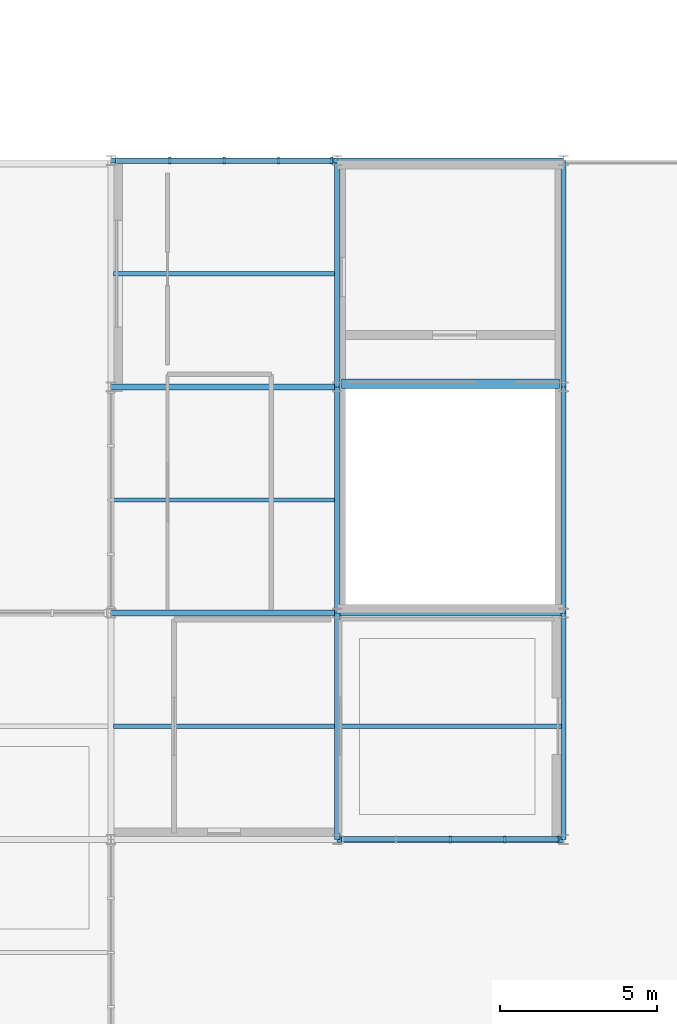
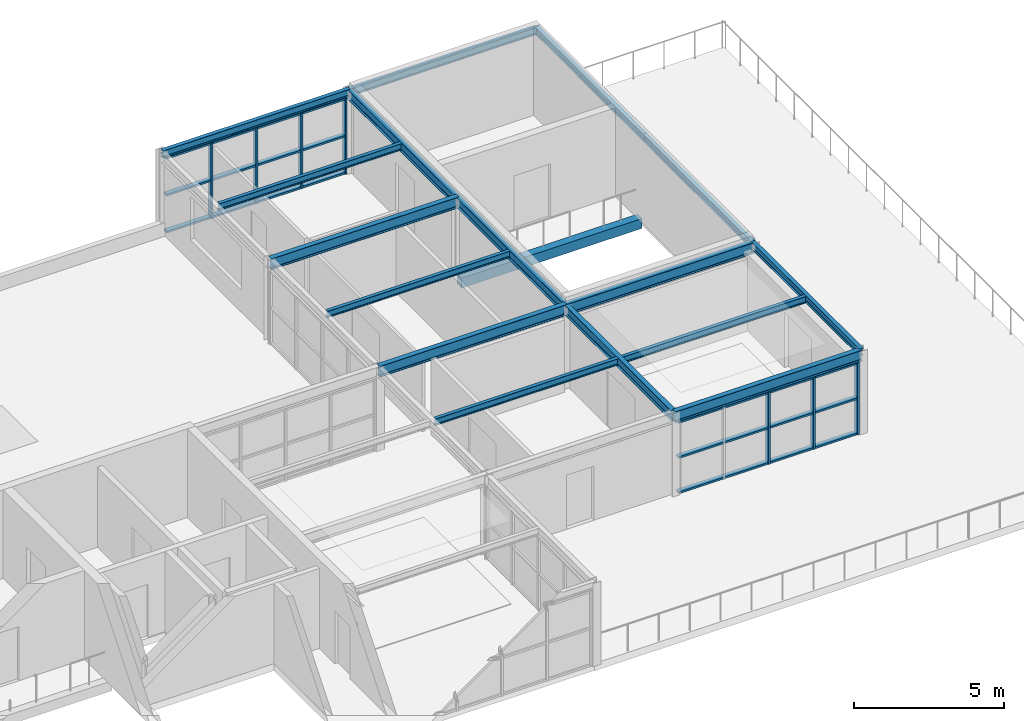
# One storey, part 12 of 22: 17 beams, 13 members, 2 elements without a shape of their own.
"""IFC4 building model written with IfcOpenShell, lengths in metres."""

from ifc_helpers import new_model, si_unit, direction, frame, origin, origin_2d, place, context, subcontext, project, spatial, rectangle, i_section, extrude, material, material_profile, profile_set, type_object, element, aggregate, save


model = new_model("IFC4")

# Units and contexts
model_context = context("Model", 3, precision=1e-05, world=origin(), true_north=direction((0.0, 1.0)))
body_context = subcontext(model_context, "Body", "Model", "MODEL_VIEW")
ifc_project = project(units=[si_unit("LENGTHUNIT", "METRE"), si_unit("AREAUNIT", "SQUARE_METRE"), si_unit("VOLUMEUNIT", "CUBIC_METRE"), si_unit("PLANEANGLEUNIT", "RADIAN"), si_unit("MASSUNIT", "GRAM", prefix="KILO")], contexts=[model_context])

# Site, building, storey
site_placement = place(None, origin())
site = spatial("IfcSite", under=ifc_project, at=site_placement, CompositionType="ELEMENT")
building_placement = place(site_placement, origin())
building = spatial("IfcBuilding", under=site, at=building_placement, Name="Leyfeld Transit Interchange", CompositionType="ELEMENT")
storey_placement = place(building_placement, frame((0.0, 0.0, 18.0)))
storey = spatial("IfcBuildingStorey", under=building, at=storey_placement, Name="L04", CompositionType="ELEMENT", Elevation=18.0)

# Beams
ifc_material_1 = material(Name="Concrete C35/45", Category="concrete")
ifc_material_profile_1 = material_profile(ifc_material_1, rectangle(XDim=0.300048828125, YDim=0.39990234375, at=origin_2d()), Name="RC 400x300")
ifc_profile_set_1 = profile_set([ifc_material_profile_1], Name="Concrete C35/45")
beam_type_1 = type_object("IfcBeamType", Name="BM-RC-400x300", PredefinedType="LINTEL", material=ifc_profile_set_1)
beam_1_placement = place(storey_placement, frame((165.735107421875, 79.300048828125, -0.199951171875), z_axis=(1.0, 0.0, 0.0), x_axis=(0.0, 1.0, 0.0)))
element("IfcBeam", 1, at=beam_1_placement, inside=storey, type_object=beam_type_1, Name="Core K5 Floor Landing Corbel L04", PredefinedType="LINTEL", context=body_context, shape_type="SweptSolid", body=[
    extrude(rectangle(XDim=0.300048828125, YDim=0.39990234375, at=origin_2d()), origin(), (0.0, 0.0, 1.0), 6.929931640625),
])
ifc_material_2 = material(Name="Steel S355J2", Category="steel")
ifc_material_profile_2 = material_profile(ifc_material_2, i_section(OverallWidth=0.135009765625, OverallDepth=0.27001953125, WebThickness=0.006591796875, FlangeThickness=0.01025390625, FilletRadius=0.014892578125, at=origin_2d()), Name="IPE 270")
ifc_profile_set_2 = profile_set([ifc_material_profile_2], Name="Steel S355J2")
beam_type_2 = type_object("IfcBeamType", Name="BM-STL-IPE270", PredefinedType="BEAM", material=ifc_profile_set_2)
beam_2_placement = place(storey_placement, frame((158.487060546875, 68.39990234375, 3.2451171875), z_axis=(1.0, 0.0, 0.0), x_axis=(0.0, 1.0, 0.0)))
element("IfcBeam", 2, at=beam_2_placement, inside=storey, type_object=beam_type_2, Name="Beam BM-L04-1585_0684-1655_0684", PredefinedType="BEAM", context=body_context, shape_type="SweptSolid", body=[
    extrude(i_section(OverallWidth=0.135009765625, OverallDepth=0.27001953125, WebThickness=0.006591796875, FlangeThickness=0.01025390625, FilletRadius=0.014892578125, at=origin_2d()), origin(), (0.0, 0.0, 1.0), 7.02587890625),
])
beam_3_placement = place(storey_placement, frame((165.68701171875, 68.39990234375, 3.2451171875), z_axis=(1.0, 0.0, 0.0), x_axis=(0.0, 1.0, 0.0)))
element("IfcBeam", 3, at=beam_3_placement, inside=storey, type_object=beam_type_2, Name="Beam BM-L04-1657_0684-1727_0684", PredefinedType="BEAM", context=body_context, shape_type="SweptSolid", body=[
    extrude(i_section(OverallWidth=0.135009765625, OverallDepth=0.27001953125, WebThickness=0.006591796875, FlangeThickness=0.01025390625, FilletRadius=0.014892578125, at=origin_2d()), origin(), (0.0, 0.0, 1.0), 7.041015625),
])
for number, where, z_axis, x_axis, name in (
    (4, (158.487060546875, 75.60009765625, 3.2451171875), (1.0, 0.0, 0.0), (0.0, 1.0, 0.0), "Beam BM-L04-1585_0756-1655_0756"),
    (5, (158.487060546875, 82.800048828125, 3.2451171875), (1.0, 0.0, 0.0), (0.0, 1.0, 0.0), "Beam BM-L04-1585_0828-1655_0828"),
):
    element("IfcBeam", number, at=place(storey_placement, frame(where, z_axis=z_axis, x_axis=x_axis)), inside=storey, type_object=beam_type_2, Name=name, PredefinedType="BEAM", context=body_context, shape_type="SweptSolid", body=[
        extrude(i_section(OverallWidth=0.135009765625, OverallDepth=0.27001953125, WebThickness=0.006591796875, FlangeThickness=0.01025390625, FilletRadius=0.014892578125, at=origin_2d()), origin(), (0.0, 0.0, 1.0), 7.02587890625),
    ])
ifc_material_profile_3 = material_profile(ifc_material_2, i_section(OverallWidth=0.14990234375, OverallDepth=0.300048828125, WebThickness=0.007080078125, FlangeThickness=0.0107421875, FilletRadius=0.014892578125, at=origin_2d()), Name="IPE 300")
ifc_profile_set_3 = profile_set([ifc_material_profile_3], Name="Steel S355J2")
beam_type_3 = type_object("IfcBeamType", Name="BM-STL-IPE300", PredefinedType="SPANDREL", material=ifc_profile_set_3)
for number, where, z_axis, x_axis, name in (
    (6, (172.800048828125, 64.800048828125, 3.22998046875), (0.0, 1.0, 0.0), (-1.0, 0.0, 0.0), "Beam BM-L04-1728_0648-1728_0720"),
    (7, (172.800048828125, 72.0, 3.22998046875), (0.0, 1.0, 0.0), (-1.0, 0.0, 0.0), "Beam BM-L04-1728_0720-1728_0792"),
    (8, (172.800048828125, 79.199951171875, 3.22998046875), (0.0, 1.0, 0.0), (-1.0, 0.0, 0.0), "Beam BM-L04-1728_0792-1728_0864"),
):
    element("IfcBeam", number, at=place(storey_placement, frame(where, z_axis=z_axis, x_axis=x_axis)), inside=storey, type_object=beam_type_3, Name=name, PredefinedType="SPANDREL", context=body_context, shape_type="SweptSolid", body=[
        extrude(i_section(OverallWidth=0.14990234375, OverallDepth=0.300048828125, WebThickness=0.007080078125, FlangeThickness=0.0107421875, FilletRadius=0.014892578125, at=origin_2d()), origin(), (0.0, 0.0, 1.0), 7.199951171875),
    ])
beam_4_placement = place(storey_placement, frame((158.39990234375, 86.39990234375, 3.22998046875), z_axis=(1.0, 0.0, 0.0), x_axis=(0.0, 1.0, 0.0)))
element("IfcBeam", 9, at=beam_4_placement, inside=storey, type_object=beam_type_3, Name="Beam BM-L04-1584_0864-1656_0864", PredefinedType="SPANDREL", context=body_context, shape_type="SweptSolid", body=[
    extrude(i_section(OverallWidth=0.14990234375, OverallDepth=0.300048828125, WebThickness=0.007080078125, FlangeThickness=0.0107421875, FilletRadius=0.014892578125, at=origin_2d()), origin(), (0.0, 0.0, 1.0), 7.2001953125),
])
beam_5_placement = place(storey_placement, frame((165.60009765625, 86.39990234375, 3.22998046875), z_axis=(1.0, 0.0, 0.0), x_axis=(0.0, 1.0, 0.0)))
element("IfcBeam", 10, at=beam_5_placement, inside=storey, type_object=beam_type_3, Name="Beam BM-L04-1656_0864-1728_0864", PredefinedType="SPANDREL", context=body_context, shape_type="SweptSolid", body=[
    extrude(i_section(OverallWidth=0.14990234375, OverallDepth=0.300048828125, WebThickness=0.007080078125, FlangeThickness=0.0107421875, FilletRadius=0.014892578125, at=origin_2d()), origin(), (0.0, 0.0, 1.0), 7.199951171875),
])
ifc_material_profile_4 = material_profile(ifc_material_2, i_section(OverallWidth=0.179931640625, OverallDepth=0.39990234375, WebThickness=0.008544921875, FlangeThickness=0.013427734375, FilletRadius=0.02099609375, at=origin_2d()), Name="IPE 400")
ifc_profile_set_4 = profile_set([ifc_material_profile_4], Name="Steel S355J2")
beam_type_4 = type_object("IfcBeamType", Name="BM-STL-IPE400", PredefinedType="BEAM", material=ifc_profile_set_4)
for number, where, z_axis, x_axis, name in (
    (11, (165.60009765625, 64.800048828125, 3.179931640625), (0.0, 1.0, 0.0), (-1.0, 0.0, 0.0), "Beam BM-L04-1656_0648-1656_0720"),
    (12, (165.60009765625, 72.0, 3.179931640625), (0.0, 1.0, 0.0), (-1.0, 0.0, 0.0), "Beam BM-L04-1656_0720-1656_0792"),
    (13, (165.60009765625, 79.199951171875, 3.179931640625), (0.0, 1.0, 0.0), (-1.0, 0.0, 0.0), "Beam BM-L04-1656_0792-1656_0864"),
):
    element("IfcBeam", number, at=place(storey_placement, frame(where, z_axis=z_axis, x_axis=x_axis)), inside=storey, type_object=beam_type_4, Name=name, PredefinedType="BEAM", context=body_context, shape_type="SweptSolid", body=[
        extrude(i_section(OverallWidth=0.179931640625, OverallDepth=0.39990234375, WebThickness=0.008544921875, FlangeThickness=0.013427734375, FilletRadius=0.02099609375, at=origin_2d()), origin(), (0.0, 0.0, 1.0), 7.199951171875),
    ])
ifc_material_profile_5 = material_profile(ifc_material_2, i_section(OverallWidth=0.18994140625, OverallDepth=0.449951171875, WebThickness=0.009521484375, FlangeThickness=0.0146484375, FilletRadius=0.02099609375, at=origin_2d()), Name="IPE 450")
ifc_profile_set_5 = profile_set([ifc_material_profile_5], Name="Steel S355J2")
beam_type_5 = type_object("IfcBeamType", Name="BM-STL-IPE450", PredefinedType="BEAM", material=ifc_profile_set_5)
beam_6_placement = place(storey_placement, frame((165.60009765625, 64.800048828125, 3.155029296875), z_axis=(1.0, 0.0, 0.0), x_axis=(0.0, 1.0, 0.0)))
element("IfcBeam", 14, at=beam_6_placement, inside=storey, type_object=beam_type_5, Name="Beam BM-L04-1656_0648-1728_0648", PredefinedType="BEAM", context=body_context, shape_type="SweptSolid", body=[
    extrude(i_section(OverallWidth=0.18994140625, OverallDepth=0.449951171875, WebThickness=0.009521484375, FlangeThickness=0.0146484375, FilletRadius=0.02099609375, at=origin_2d()), origin(), (0.0, 0.0, 1.0), 7.199951171875),
])
beam_7_placement = place(storey_placement, frame((158.39990234375, 72.0, 3.155029296875), z_axis=(1.0, 0.0, 0.0), x_axis=(0.0, 1.0, 0.0)))
element("IfcBeam", 15, at=beam_7_placement, inside=storey, type_object=beam_type_5, Name="Beam BM-L04-1584_0720-1656_0720", PredefinedType="BEAM", context=body_context, shape_type="SweptSolid", body=[
    extrude(i_section(OverallWidth=0.18994140625, OverallDepth=0.449951171875, WebThickness=0.009521484375, FlangeThickness=0.0146484375, FilletRadius=0.02099609375, at=origin_2d()), origin(), (0.0, 0.0, 1.0), 7.2001953125),
])
beam_8_placement = place(storey_placement, frame((165.60009765625, 72.0, 3.155029296875), z_axis=(1.0, 0.0, 0.0), x_axis=(0.0, 1.0, 0.0)))
element("IfcBeam", 16, at=beam_8_placement, inside=storey, type_object=beam_type_5, Name="Beam BM-L04-1656_0720-1728_0720", PredefinedType="BEAM", context=body_context, shape_type="SweptSolid", body=[
    extrude(i_section(OverallWidth=0.18994140625, OverallDepth=0.449951171875, WebThickness=0.009521484375, FlangeThickness=0.0146484375, FilletRadius=0.02099609375, at=origin_2d()), origin(), (0.0, 0.0, 1.0), 7.199951171875),
])
beam_9_placement = place(storey_placement, frame((158.39990234375, 79.199951171875, 3.155029296875), z_axis=(1.0, 0.0, 0.0), x_axis=(0.0, 1.0, 0.0)))
element("IfcBeam", 17, at=beam_9_placement, inside=storey, type_object=beam_type_5, Name="Beam BM-L04-1584_0792-1656_0792", PredefinedType="BEAM", context=body_context, shape_type="SweptSolid", body=[
    extrude(i_section(OverallWidth=0.18994140625, OverallDepth=0.449951171875, WebThickness=0.009521484375, FlangeThickness=0.0146484375, FilletRadius=0.02099609375, at=origin_2d()), origin(), (0.0, 0.0, 1.0), 7.2001953125),
])

# Curtain wall, members
ifc_material_3 = material(Name="Anodised aluminium EN AW-6060 T66", Category="aluminium")
curtain_wall_type = type_object("IfcCurtainWallType", Name="CW-SYS-BUS-7200", PredefinedType="NOTDEFINED", material=ifc_material_3)
curtain_wall_1_placement = place(storey_placement, origin())
curtain_wall_1 = element("IfcCurtainWall", 18, at=curtain_wall_1_placement, inside=storey, type_object=curtain_wall_type, Name="Curtain Wall CW-L04-141", PredefinedType="NOTDEFINED")
ifc_material_profile_6 = material_profile(ifc_material_3, rectangle(XDim=0.074951171875, YDim=0.219970703125, at=origin_2d()), Name="CW-M 75x220")
ifc_profile_set_6 = profile_set([ifc_material_profile_6], Name="Anodised aluminium EN AW-6060 T66")
member_type_1 = type_object("IfcMemberType", Name="CW-MUL-180x70", PredefinedType="MULLION", material=ifc_profile_set_6)
member_1_placement = place(storey_placement, frame((160.27001953125, 86.39990234375, 0.0), z_axis=(0.0, 0.0, 1.0), x_axis=(1.0, 0.0, 0.0)))
member_1 = element("IfcMember", 19, at=member_1_placement, type_object=member_type_1, Name="Curtain Mullion CW-L04-141-M02", PredefinedType="MULLION", context=body_context, shape_type="SweptSolid", body=[
    extrude(rectangle(XDim=0.074951171875, YDim=0.219970703125, at=origin_2d()), origin(), (0.0, 0.0, 1.0), 3.080078125),
])
member_2_placement = place(storey_placement, frame((162.0, 86.39990234375, 0.0), z_axis=(0.0, 0.0, 1.0), x_axis=(1.0, 0.0, 0.0)))
member_2 = element("IfcMember", 20, at=member_2_placement, type_object=member_type_1, Name="Curtain Mullion CW-L04-141-M03", PredefinedType="MULLION", context=body_context, shape_type="SweptSolid", body=[
    extrude(rectangle(XDim=0.074951171875, YDim=0.219970703125, at=origin_2d()), origin(), (0.0, 0.0, 1.0), 3.080078125),
])
member_3_placement = place(storey_placement, frame((163.72998046875, 86.39990234375, 0.0), z_axis=(0.0, 0.0, 1.0), x_axis=(1.0, 0.0, 0.0)))
member_3 = element("IfcMember", 21, at=member_3_placement, type_object=member_type_1, Name="Curtain Mullion CW-L04-141-M04", PredefinedType="MULLION", context=body_context, shape_type="SweptSolid", body=[
    extrude(rectangle(XDim=0.074951171875, YDim=0.219970703125, at=origin_2d()), origin(), (0.0, 0.0, 1.0), 3.080078125),
])
member_4_placement = place(storey_placement, frame((165.422607421875, 86.39990234375, 0.0), z_axis=(0.0, 0.0, 1.0), x_axis=(1.0, 0.0, 0.0)))
member_4 = element("IfcMember", 22, at=member_4_placement, type_object=member_type_1, Name="Curtain Mullion CW-L04-141-M05", PredefinedType="MULLION", context=body_context, shape_type="SweptSolid", body=[
    extrude(rectangle(XDim=0.074951171875, YDim=0.219970703125, at=origin_2d()), origin(), (0.0, 0.0, 1.0), 3.080078125),
])

curtain_wall_2_placement = place(storey_placement, origin())
curtain_wall_2 = element("IfcCurtainWall", 23, at=curtain_wall_2_placement, inside=storey, type_object=curtain_wall_type, Name="Curtain Wall CW-L04-142", PredefinedType="NOTDEFINED")
member_5_placement = place(storey_placement, frame((172.62255859375, 64.800048828125, 0.0), z_axis=(0.0, 0.0, 1.0), x_axis=(-1.0, 0.0, 0.0)))
member_5 = element("IfcMember", 24, at=member_5_placement, type_object=member_type_1, Name="Curtain Mullion CW-L04-142-M01", PredefinedType="MULLION", context=body_context, shape_type="SweptSolid", body=[
    extrude(rectangle(XDim=0.074951171875, YDim=0.219970703125, at=origin_2d()), origin(), (0.0, 0.0, 1.0), 2.929931640625),
])
member_6_placement = place(storey_placement, frame((170.929931640625, 64.800048828125, 0.0), z_axis=(0.0, 0.0, 1.0), x_axis=(-1.0, 0.0, 0.0)))
member_6 = element("IfcMember", 25, at=member_6_placement, type_object=member_type_1, Name="Curtain Mullion CW-L04-142-M02", PredefinedType="MULLION", context=body_context, shape_type="SweptSolid", body=[
    extrude(rectangle(XDim=0.074951171875, YDim=0.219970703125, at=origin_2d()), origin(), (0.0, 0.0, 1.0), 2.929931640625),
])
member_7_placement = place(storey_placement, frame((169.199951171875, 64.800048828125, 0.0), z_axis=(0.0, 0.0, 1.0), x_axis=(-1.0, 0.0, 0.0)))
member_7 = element("IfcMember", 26, at=member_7_placement, type_object=member_type_1, Name="Curtain Mullion CW-L04-142-M03", PredefinedType="MULLION", context=body_context, shape_type="SweptSolid", body=[
    extrude(rectangle(XDim=0.074951171875, YDim=0.219970703125, at=origin_2d()), origin(), (0.0, 0.0, 1.0), 2.929931640625),
])

# Member
ifc_material_profile_7 = material_profile(ifc_material_3, rectangle(XDim=0.179931640625, YDim=0.074951171875, at=origin_2d()), Name="CW-TRN-160x70")
ifc_profile_set_7 = profile_set([ifc_material_profile_7], Name="Anodised aluminium EN AW-6060 T66")
member_type_2 = type_object("IfcMemberType", Name="CW-TRN-160x70", PredefinedType="USERDEFINED", material=ifc_profile_set_7)
member_8_placement = place(storey_placement, frame((158.5400390625, 86.39990234375, 0.03759765625), z_axis=(1.0, 0.0, 0.0), x_axis=(0.0, 1.0, 0.0)))
member_8 = element("IfcMember", 27, at=member_8_placement, type_object=member_type_2, Name="Curtain Transom CW-L04-141-T01", ObjectType="TRANSOM", PredefinedType="USERDEFINED", context=body_context, shape_type="SweptSolid", body=[
    extrude(rectangle(XDim=0.179931640625, YDim=0.074951171875, at=origin_2d()), origin(), (0.0, 0.0, 1.0), 6.919921875),
])

member_9_placement = place(storey_placement, frame((158.5400390625, 86.39990234375, 1.5400390625), z_axis=(1.0, 0.0, 0.0), x_axis=(0.0, 1.0, 0.0)))
member_9 = element("IfcMember", 28, at=member_9_placement, type_object=member_type_2, Name="Curtain Transom CW-L04-141-T02", ObjectType="TRANSOM", PredefinedType="USERDEFINED", context=body_context, shape_type="SweptSolid", body=[
    extrude(rectangle(XDim=0.179931640625, YDim=0.074951171875, at=origin_2d()), origin(), (0.0, 0.0, 1.0), 6.919921875),
])

member_10_placement = place(storey_placement, frame((158.5400390625, 86.39990234375, 3.04248046875), z_axis=(1.0, 0.0, 0.0), x_axis=(0.0, 1.0, 0.0)))
member_10 = element("IfcMember", 29, at=member_10_placement, type_object=member_type_2, Name="Curtain Transom CW-L04-141-T03", ObjectType="TRANSOM", PredefinedType="USERDEFINED", context=body_context, shape_type="SweptSolid", body=[
    extrude(rectangle(XDim=0.179931640625, YDim=0.074951171875, at=origin_2d()), origin(), (0.0, 0.0, 1.0), 6.919921875),
])

aggregate(curtain_wall_1, [member_1, member_2, member_3, member_4, member_8, member_9, member_10])

member_11_placement = place(storey_placement, frame((172.659912109375, 64.800048828125, 0.03759765625), z_axis=(-1.0, 0.0, 0.0), x_axis=(0.0, -1.0, 0.0)))
member_11 = element("IfcMember", 30, at=member_11_placement, type_object=member_type_2, Name="Curtain Transom CW-L04-142-T01", ObjectType="TRANSOM", PredefinedType="USERDEFINED", context=body_context, shape_type="SweptSolid", body=[
    extrude(rectangle(XDim=0.179931640625, YDim=0.074951171875, at=origin_2d()), origin(), (0.0, 0.0, 1.0), 6.919921875),
])

member_12_placement = place(storey_placement, frame((172.659912109375, 64.800048828125, 1.465087890625), z_axis=(-1.0, 0.0, 0.0), x_axis=(0.0, -1.0, 0.0)))
member_12 = element("IfcMember", 31, at=member_12_placement, type_object=member_type_2, Name="Curtain Transom CW-L04-142-T02", ObjectType="TRANSOM", PredefinedType="USERDEFINED", context=body_context, shape_type="SweptSolid", body=[
    extrude(rectangle(XDim=0.179931640625, YDim=0.074951171875, at=origin_2d()), origin(), (0.0, 0.0, 1.0), 6.919921875),
])

member_13_placement = place(storey_placement, frame((172.659912109375, 64.800048828125, 2.892578125), z_axis=(-1.0, 0.0, 0.0), x_axis=(0.0, -1.0, 0.0)))
member_13 = element("IfcMember", 32, at=member_13_placement, type_object=member_type_2, Name="Curtain Transom CW-L04-142-T03", ObjectType="TRANSOM", PredefinedType="USERDEFINED", context=body_context, shape_type="SweptSolid", body=[
    extrude(rectangle(XDim=0.179931640625, YDim=0.074951171875, at=origin_2d()), origin(), (0.0, 0.0, 1.0), 6.919921875),
])

aggregate(curtain_wall_2, [member_5, member_6, member_7, member_11, member_12, member_13])

save(model, "model.ifc")
